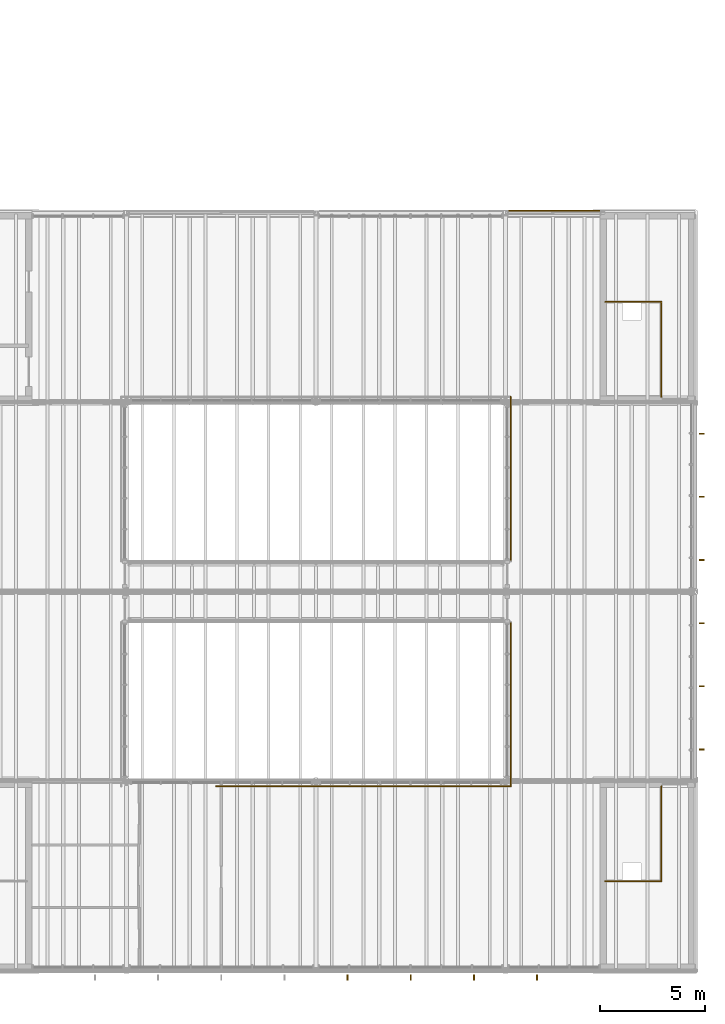
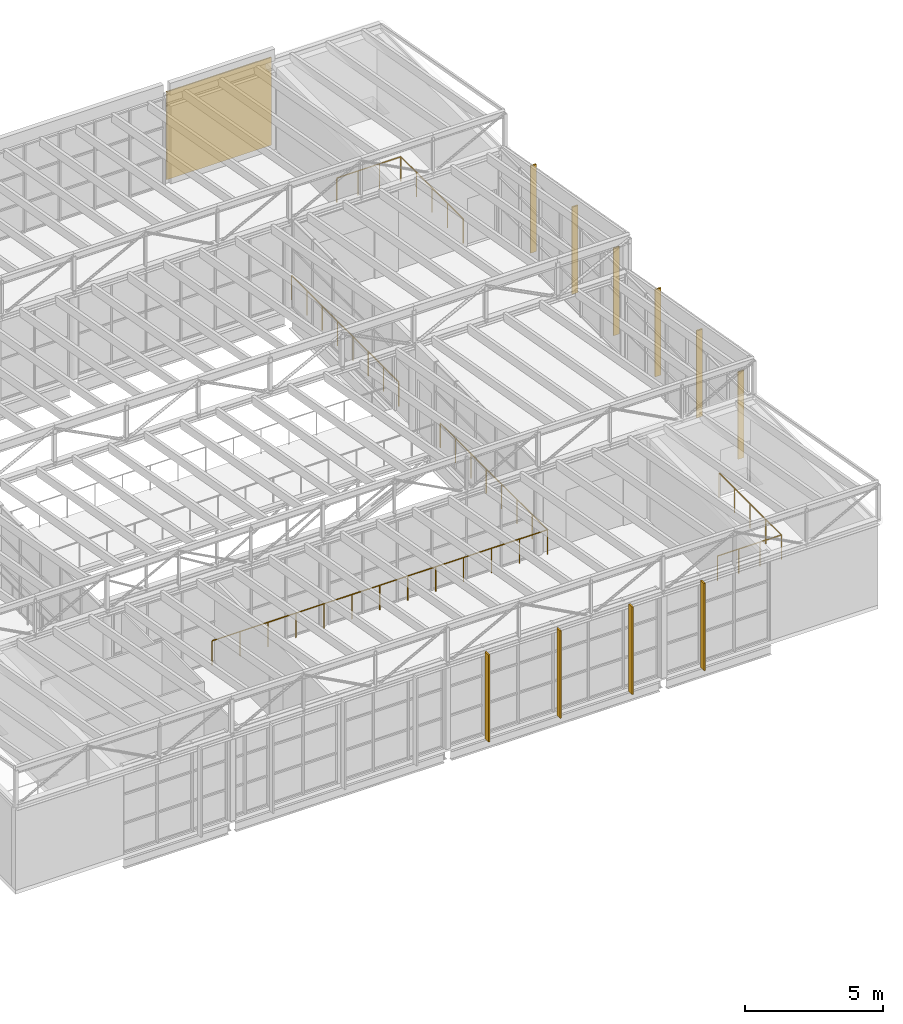
# One storey, part 44 of 44: 10 shading devices, 5 railings, 1 covering.
"""IFC4 building model written with IfcOpenShell, lengths in metres."""

from ifc_helpers import new_model, si_unit, direction, frame, frame_2d, origin, origin_2d, place, context, subcontext, project, spatial, rectangle, circle, extrude, material, layer, layer_set, type_object, element, save


model = new_model("IFC4")

# Units and contexts
model_context = context("Model", 3, precision=1e-05, world=origin(), true_north=direction((0.0, 1.0)))
body_context = subcontext(model_context, "Body", "Model", "MODEL_VIEW")
ifc_project = project(units=[si_unit("LENGTHUNIT", "METRE"), si_unit("AREAUNIT", "SQUARE_METRE"), si_unit("VOLUMEUNIT", "CUBIC_METRE"), si_unit("PLANEANGLEUNIT", "RADIAN"), si_unit("MASSUNIT", "GRAM", prefix="KILO")], contexts=[model_context])

# Site, building, storey
site_placement = place(None, origin())
site = spatial("IfcSite", under=ifc_project, at=site_placement, CompositionType="ELEMENT")
building_placement = place(site_placement, origin())
building = spatial("IfcBuilding", under=site, at=building_placement, Name="Halyard Row Museum", CompositionType="ELEMENT")
storey_placement = place(building_placement, frame((0.0, 0.0, 21.199951171875)))
storey = spatial("IfcBuildingStorey", under=building, at=storey_placement, Name="L04", CompositionType="ELEMENT", Elevation=21.199951171875)

# Railings
ifc_material_1 = material(Name="Steel Grade 300", Category="steel")
railing_type = type_object("IfcRailingType", Name="Guard GR2 steel balustrade 1100", PredefinedType="GUARDRAIL", material=ifc_material_1)
railing_1_placement = place(storey_placement, frame((106.409912109375, 8.760009765625, 0.0)))
element("IfcRailing", 1, at=railing_1_placement, inside=storey, type_object=railing_type, Name="Guard GR164", PredefinedType="GUARDRAIL", context=body_context, shape_type="SweptSolid", body=[
    extrude(circle(Radius=0.02392578125, at=origin_2d()), frame((0.0, 0.0, 1.076171875), z_axis=(0.0, -1.0, 0.0), x_axis=(1.0, 0.0, 0.0)), (0.0, 0.0, 1.0), 4.52001953125),
    extrude(circle(Radius=0.02392578125, at=origin_2d()), frame((0.0, -4.52001953125, 1.076171875), z_axis=(-1.0, 0.0, 0.0), x_axis=(0.0, -1.0, 0.0)), (0.0, 0.0, 1.0), 2.669921875),
    extrude(circle(Radius=0.02099609375, at=origin_2d()), origin(), (0.0, 0.0, 1.0), 1.052001953125),
    extrude(circle(Radius=0.02099609375, at=origin_2d()), frame((0.0, -1.1298828125, 0.0)), (0.0, 0.0, 1.0), 1.052001953125),
    extrude(circle(Radius=0.02099609375, at=origin_2d()), frame((0.0, -2.260009765625, 0.0)), (0.0, 0.0, 1.0), 1.052001953125),
    extrude(circle(Radius=0.02099609375, at=origin_2d()), frame((0.0, -3.39013671875, 0.0)), (0.0, 0.0, 1.0), 1.052001953125),
    extrude(circle(Radius=0.02099609375, at=origin_2d()), frame((0.0, -4.52001953125, 0.0)), (0.0, 0.0, 1.0), 1.052001953125),
    extrude(circle(Radius=0.02099609375, at=origin_2d()), frame((-0.889892578125, -4.52001953125, 0.0)), (0.0, 0.0, 1.0), 1.052001953125),
    extrude(circle(Radius=0.02099609375, at=origin_2d()), frame((-1.780029296875, -4.52001953125, 0.0)), (0.0, 0.0, 1.0), 1.052001953125),
    extrude(circle(Radius=0.02099609375, at=origin_2d()), frame((-2.669921875, -4.52001953125, 0.0)), (0.0, 0.0, 1.0), 1.052001953125),
])
railing_2_placement = place(storey_placement, frame((103.739990234375, 31.760009765625, 0.0)))
element("IfcRailing", 2, at=railing_2_placement, inside=storey, type_object=railing_type, Name="Guard GR169", PredefinedType="GUARDRAIL", context=body_context, shape_type="SweptSolid", body=[
    extrude(circle(Radius=0.02392578125, at=origin_2d()), frame((0.0, 0.0, 1.076171875), z_axis=(1.0, 0.0, 0.0), x_axis=(0.0, 1.0, 0.0)), (0.0, 0.0, 1.0), 2.669921875),
    extrude(circle(Radius=0.02392578125, at=origin_2d()), frame((2.669921875, 0.0, 1.076171875), z_axis=(0.0, -1.0, 0.0), x_axis=(1.0, 0.0, 0.0)), (0.0, 0.0, 1.0), 4.52001953125),
    extrude(circle(Radius=0.02099609375, at=origin_2d()), origin(), (0.0, 0.0, 1.0), 1.052001953125),
    extrude(circle(Radius=0.02099609375, at=origin_2d()), frame((0.889892578125, 0.0, 0.0)), (0.0, 0.0, 1.0), 1.052001953125),
    extrude(circle(Radius=0.02099609375, at=origin_2d()), frame((1.780029296875, 0.0, 0.0)), (0.0, 0.0, 1.0), 1.052001953125),
    extrude(circle(Radius=0.02099609375, at=origin_2d()), frame((2.669921875, 0.0, 0.0)), (0.0, 0.0, 1.0), 1.052001953125),
    extrude(circle(Radius=0.02099609375, at=origin_2d()), frame((2.669921875, -1.1298828125, 0.0)), (0.0, 0.0, 1.0), 1.052001953125),
    extrude(circle(Radius=0.02099609375, at=origin_2d()), frame((2.669921875, -2.260009765625, 0.0)), (0.0, 0.0, 1.0), 1.052001953125),
    extrude(circle(Radius=0.02099609375, at=origin_2d()), frame((2.669921875, -3.39013671875, 0.0)), (0.0, 0.0, 1.0), 1.052001953125),
    extrude(circle(Radius=0.02099609375, at=origin_2d()), frame((2.669921875, -4.52001953125, 0.0)), (0.0, 0.0, 1.0), 1.052001953125),
])
railing_3_placement = place(storey_placement, frame((85.25, 8.75, 0.0)))
element("IfcRailing", 3, at=railing_3_placement, inside=storey, type_object=railing_type, Name="Guard GR212", PredefinedType="GUARDRAIL", context=body_context, shape_type="SweptSolid", body=[
    extrude(circle(Radius=0.02392578125, at=origin_2d()), frame((0.0, 0.0, 1.076171875), z_axis=(1.0, 0.0, 0.0), x_axis=(0.0, 1.0, 0.0)), (0.0, 0.0, 1.0), 14.0),
    extrude(circle(Radius=0.02099609375, at=origin_2d()), origin(), (0.0, 0.0, 1.0), 1.052001953125),
    extrude(circle(Radius=0.02099609375, at=origin_2d()), frame((1.166748046875, 0.0, 0.0)), (0.0, 0.0, 1.0), 1.052001953125),
    extrude(circle(Radius=0.02099609375, at=origin_2d()), frame((2.333251953125, 0.0, 0.0)), (0.0, 0.0, 1.0), 1.052001953125),
    extrude(circle(Radius=0.02099609375, at=origin_2d()), frame((3.5, 0.0, 0.0)), (0.0, 0.0, 1.0), 1.052001953125),
    extrude(circle(Radius=0.02099609375, at=origin_2d()), frame((4.666748046875, 0.0, 0.0)), (0.0, 0.0, 1.0), 1.052001953125),
    extrude(circle(Radius=0.02099609375, at=origin_2d()), frame((5.833251953125, 0.0, 0.0)), (0.0, 0.0, 1.0), 1.052001953125),
    extrude(circle(Radius=0.02099609375, at=origin_2d()), frame((7.0, 0.0, 0.0)), (0.0, 0.0, 1.0), 1.052001953125),
    extrude(circle(Radius=0.02099609375, at=origin_2d()), frame((8.166748046875, 0.0, 0.0)), (0.0, 0.0, 1.0), 1.052001953125),
    extrude(circle(Radius=0.02099609375, at=origin_2d()), frame((9.333251953125, 0.0, 0.0)), (0.0, 0.0, 1.0), 1.052001953125),
    extrude(circle(Radius=0.02099609375, at=origin_2d()), frame((10.5, 0.0, 0.0)), (0.0, 0.0, 1.0), 1.052001953125),
    extrude(circle(Radius=0.02099609375, at=origin_2d()), frame((11.666748046875, 0.0, 0.0)), (0.0, 0.0, 1.0), 1.052001953125),
    extrude(circle(Radius=0.02099609375, at=origin_2d()), frame((12.833251953125, 0.0, 0.0)), (0.0, 0.0, 1.0), 1.052001953125),
    extrude(circle(Radius=0.02099609375, at=origin_2d()), frame((14.0, 0.0, 0.0)), (0.0, 0.0, 1.0), 1.052001953125),
])
for number, where, name in (
    (4, (99.25, 8.75, 0.0), "Guard GR213"),
    (5, (99.25, 19.5, 0.0), "Guard GR214"),
):
    element("IfcRailing", number, at=place(storey_placement, frame(where)), inside=storey, type_object=railing_type, Name=name, PredefinedType="GUARDRAIL", context=body_context, shape_type="SweptSolid", body=[
        extrude(circle(Radius=0.02392578125, at=origin_2d()), frame((0.0, 0.0, 1.076171875), z_axis=(0.0, 1.0, 0.0), x_axis=(-1.0, 0.0, 0.0)), (0.0, 0.0, 1.0), 7.75),
        extrude(circle(Radius=0.02099609375, at=origin_2d()), origin(), (0.0, 0.0, 1.0), 1.052001953125),
        extrude(circle(Radius=0.02099609375, at=origin_2d()), frame((0.0, 1.107177734375, 0.0)), (0.0, 0.0, 1.0), 1.052001953125),
        extrude(circle(Radius=0.02099609375, at=origin_2d()), frame((0.0, 2.21435546875, 0.0)), (0.0, 0.0, 1.0), 1.052001953125),
        extrude(circle(Radius=0.02099609375, at=origin_2d()), frame((0.0, 3.321533203125, 0.0)), (0.0, 0.0, 1.0), 1.052001953125),
        extrude(circle(Radius=0.02099609375, at=origin_2d()), frame((0.0, 4.428466796875, 0.0)), (0.0, 0.0, 1.0), 1.052001953125),
        extrude(circle(Radius=0.02099609375, at=origin_2d()), frame((0.0, 5.53564453125, 0.0)), (0.0, 0.0, 1.0), 1.052001953125),
        extrude(circle(Radius=0.02099609375, at=origin_2d()), frame((0.0, 6.642822265625, 0.0)), (0.0, 0.0, 1.0), 1.052001953125),
        extrude(circle(Radius=0.02099609375, at=origin_2d()), frame((0.0, 7.75, 0.0)), (0.0, 0.0, 1.0), 1.052001953125),
    ])

# Covering
ifc_material_2 = material(Name="Fire-retardant Type A timber battens", Category="wood")
ifc_layer = layer(ifc_material_2, 0.050048828125)
ifc_layer_set = layer_set([ifc_layer], Name="Fire-retardant Type A timber battens")
covering_type = type_object("IfcCoveringType", Name="Timber batten cladding 50", PredefinedType="CLADDING", material=ifc_layer_set)
covering_placement = place(storey_placement, frame((103.5, 36.0849609375, 0.0), z_axis=(0.0, 0.0, 1.0), x_axis=(-1.0, 0.0, 0.0)))
element("IfcCovering", 6, at=covering_placement, inside=storey, type_object=covering_type, Name="Cladding CLL04-001", PredefinedType="CLADDING", context=body_context, shape_type="SweptSolid", body=[
    extrude(rectangle(XDim=4.375, YDim=0.050048828125, at=frame_2d((2.1875, 0.0))), origin(), (0.0, 0.0, 1.0), 3.878173828125),
])

# Shading devices
ifc_material_3 = material(Name="Glue-laminated timber GL12, oiled", Category="wood")
shading_device_type = type_object("IfcShadingDeviceType", Name="Timber fin 60 x 250", PredefinedType="USERDEFINED", material=ifc_material_3)
for number, where, z_axis, x_axis, name in (
    (7, (91.5, -0.324951171875, 0.0), (0.0, 0.0, 1.0), (1.0, 0.0, 0.0), "Timber fin"),
    (8, (94.5, -0.324951171875, 0.0), (0.0, 0.0, 1.0), (1.0, 0.0, 0.0), "Timber fin"),
    (9, (97.5, -0.324951171875, 0.0), (0.0, 0.0, 1.0), (1.0, 0.0, 0.0), "Timber fin"),
    (10, (100.5, -0.324951171875, 0.0), (0.0, 0.0, 1.0), (1.0, 0.0, 0.0), "Timber fin"),
):
    element("IfcShadingDevice", number, at=place(storey_placement, frame(where, z_axis=z_axis, x_axis=x_axis)), inside=storey, type_object=shading_device_type, Name=name, ObjectType="FIN", PredefinedType="USERDEFINED", context=body_context, shape_type="SweptSolid", body=[
        extrude(rectangle(XDim=0.06005859375, YDim=0.25, at=origin_2d()), origin(), (0.0, 0.0, 1.0), 3.85009765625),
    ])
for number, where, z_axis, x_axis, name in (
    (11, (108.324951171875, 10.5, 0.0), (0.0, 0.0, 1.0), (1.0, 0.0, 0.0), "Timber fin"),
    (12, (108.324951171875, 13.5, 0.0), (0.0, 0.0, 1.0), (1.0, 0.0, 0.0), "Timber fin"),
    (13, (108.324951171875, 16.5, 0.0), (0.0, 0.0, 1.0), (1.0, 0.0, 0.0), "Timber fin"),
    (14, (108.324951171875, 19.5, 0.0), (0.0, 0.0, 1.0), (1.0, 0.0, 0.0), "Timber fin"),
    (15, (108.324951171875, 22.5, 0.0), (0.0, 0.0, 1.0), (1.0, 0.0, 0.0), "Timber fin"),
    (16, (108.324951171875, 25.5, 0.0), (0.0, 0.0, 1.0), (1.0, 0.0, 0.0), "Timber fin"),
):
    element("IfcShadingDevice", number, at=place(storey_placement, frame(where, z_axis=z_axis, x_axis=x_axis)), inside=storey, type_object=shading_device_type, Name=name, ObjectType="FIN", PredefinedType="USERDEFINED", context=body_context, shape_type="SweptSolid", body=[
        extrude(rectangle(XDim=0.25, YDim=0.06005859375, at=origin_2d()), origin(), (0.0, 0.0, 1.0), 3.85009765625),
    ])

save(model, "model.ifc")
